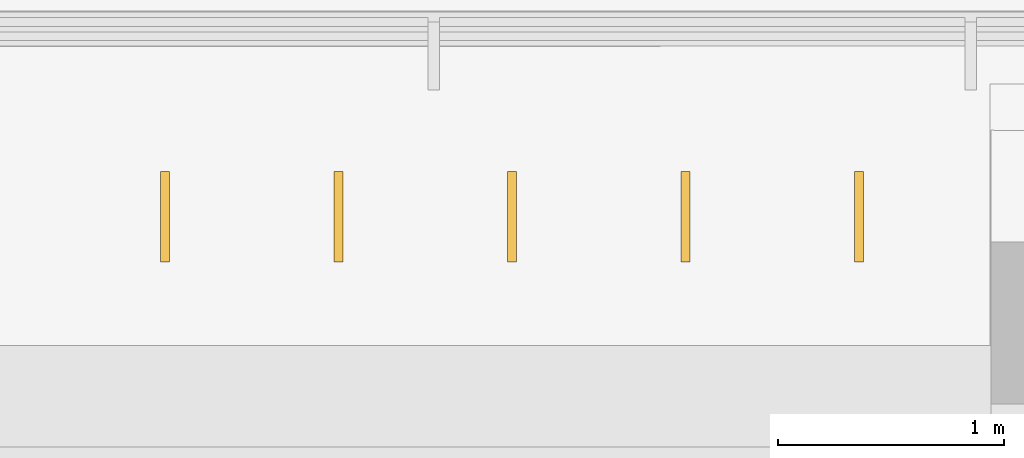
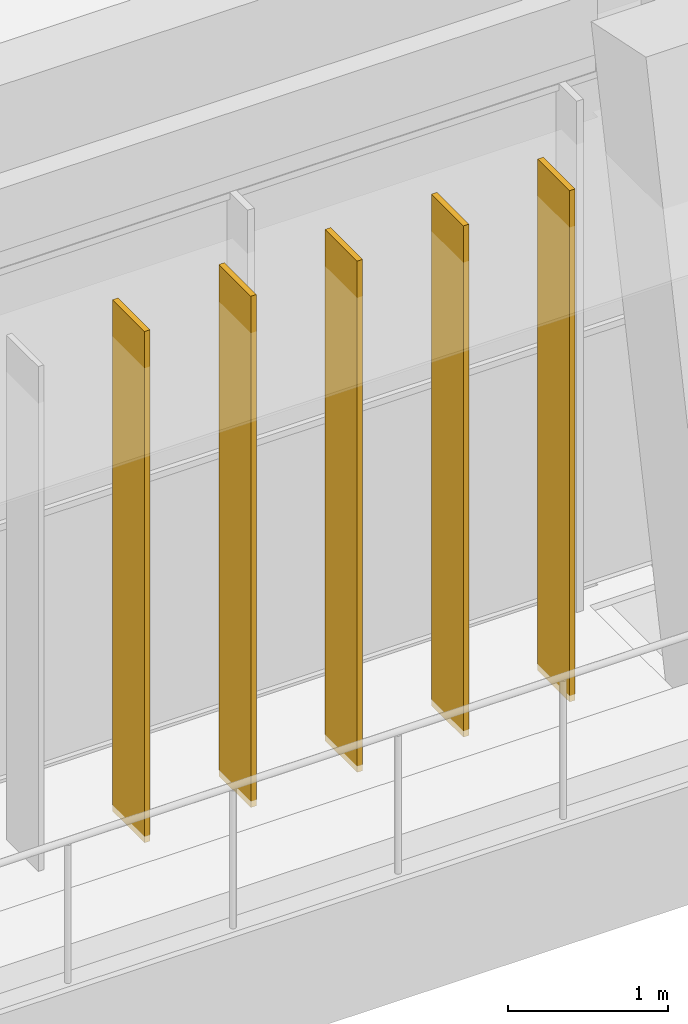
# One storey, part 64 of 74: 5 shading devices.
"""IFC4 building model written with IfcOpenShell, lengths in metres."""

from ifc_helpers import new_model, si_unit, direction, frame, origin, origin_2d, place, context, subcontext, project, spatial, rectangle, extrude, material, layer, layer_set, type_object, element, save


model = new_model("IFC4")

# Units and contexts
model_context = context("Model", 3, precision=1e-05, world=origin(), true_north=direction((0.0, 1.0)))
body_context = subcontext(model_context, "Body", "Model", "MODEL_VIEW")
ifc_project = project(units=[si_unit("LENGTHUNIT", "METRE"), si_unit("AREAUNIT", "SQUARE_METRE"), si_unit("VOLUMEUNIT", "CUBIC_METRE"), si_unit("PLANEANGLEUNIT", "RADIAN"), si_unit("MASSUNIT", "GRAM", prefix="KILO")], contexts=[model_context])

# Site, building, storey
site_placement = place(None, origin())
site = spatial("IfcSite", under=ifc_project, at=site_placement, CompositionType="ELEMENT")
building_placement = place(site_placement, origin())
building = spatial("IfcBuilding", under=site, at=building_placement, Name="Lantern Court Media Centre", CompositionType="ELEMENT")
storey_placement = place(building_placement, frame((0.0, 0.0, 19.199951171875)))
storey = spatial("IfcBuildingStorey", under=building, at=storey_placement, Name="L04", CompositionType="ELEMENT", Elevation=19.199951171875)

# Shading devices
ifc_material = material(Name="Bronze anodised aluminium louvre", Category="aluminium")
ifc_layer = layer(ifc_material, 0.0400390625)
ifc_layer_set = layer_set([ifc_layer], Name="Bronze anodised aluminium louvre")
shading_device_type = type_object("IfcShadingDeviceType", Name="Vertical louvre 40x400 under beam", PredefinedType="USERDEFINED", material=ifc_layer_set)
for number, where, z_axis, x_axis, name in (
    (1, (52.0, 101.320068359375, 0.0), (0.0, 0.0, 1.0), (1.0, 0.0, 0.0), "Vertical louvre N inner L04"),
    (2, (52.7666015625, 101.320068359375, 0.0), (0.0, 0.0, 1.0), (1.0, 0.0, 0.0), "Vertical louvre N inner L04"),
    (3, (53.533447265625, 101.320068359375, 0.0), (0.0, 0.0, 1.0), (1.0, 0.0, 0.0), "Vertical louvre N inner L04"),
    (4, (54.300048828125, 101.320068359375, 0.0), (0.0, 0.0, 1.0), (1.0, 0.0, 0.0), "Vertical louvre N inner L04"),
    (5, (55.066650390625, 101.320068359375, 0.0), (0.0, 0.0, 1.0), (1.0, 0.0, 0.0), "Vertical louvre N inner L04"),
):
    element("IfcShadingDevice", number, at=place(storey_placement, frame(where, z_axis=z_axis, x_axis=x_axis)), inside=storey, type_object=shading_device_type, Name=name, ObjectType="VERTICAL LOUVRE", PredefinedType="USERDEFINED", context=body_context, shape_type="SweptSolid", body=[
        extrude(rectangle(XDim=0.0400390625, YDim=0.39990234375, at=origin_2d()), origin(), (0.0, 0.0, 1.0), 3.89990234375),
    ])

save(model, "model.ifc")
